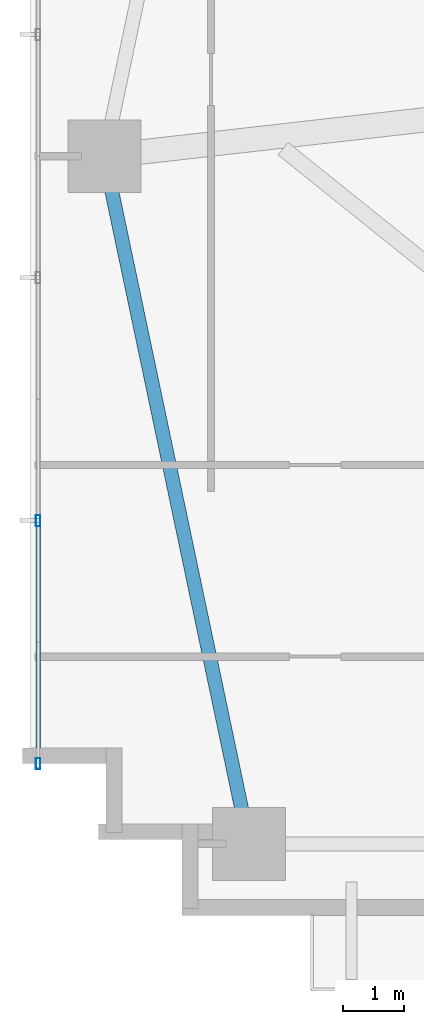
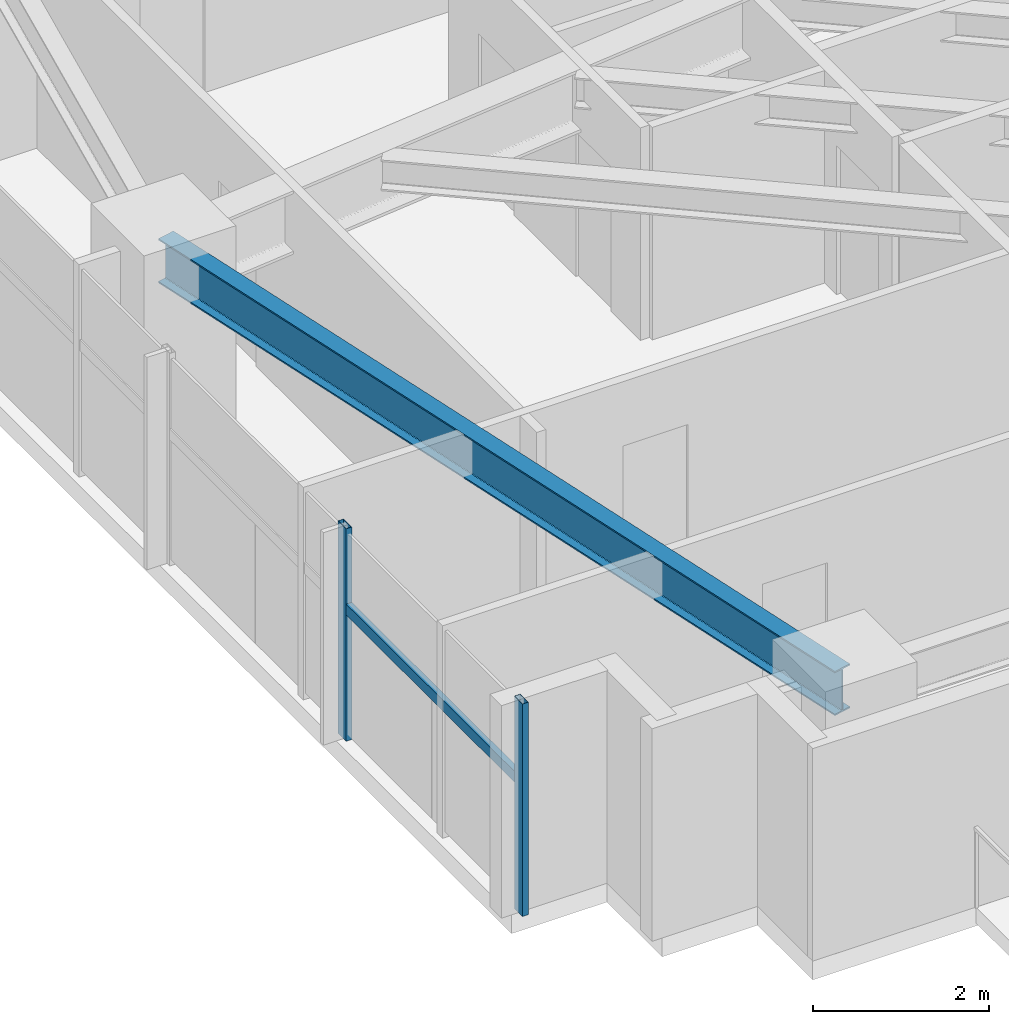
# One storey, part 2 of 25: 3 members, 1 beam, 1 element without a shape of its own.
"""IFC4 building model written with IfcOpenShell, lengths in metres."""

from ifc_helpers import new_model, si_unit, direction, frame, origin, origin_2d, place, context, subcontext, project, spatial, hollow_rectangle, i_section, extrude, source, transform, mapped, material, material_profile, profile_set, type_object, type_shapes, element, aggregate, save


model = new_model("IFC4")

# Units and contexts
model_context = context("Model", 3, precision=1e-05, world=origin(), true_north=direction((0.0, 1.0)))
body_context = subcontext(model_context, "Body", "Model", "MODEL_VIEW")
ifc_project = project(units=[si_unit("LENGTHUNIT", "METRE"), si_unit("AREAUNIT", "SQUARE_METRE"), si_unit("VOLUMEUNIT", "CUBIC_METRE"), si_unit("PLANEANGLEUNIT", "RADIAN"), si_unit("MASSUNIT", "GRAM", prefix="KILO")], contexts=[model_context])

# Site, building, storey
site_placement = place(None, origin())
site = spatial("IfcSite", under=ifc_project, at=site_placement, CompositionType="ELEMENT")
building_placement = place(site_placement, origin())
building = spatial("IfcBuilding", under=site, at=building_placement, Name="Astriad Promenade Condominiums", CompositionType="ELEMENT")
storey_placement = place(building_placement, frame((0.0, 0.0, 45.39990234375)))
storey = spatial("IfcBuildingStorey", under=building, at=storey_placement, Name="L12", CompositionType="ELEMENT", Elevation=45.39990234375)

# Beam
ifc_material_1 = material(Name="Steel ASTM A992 Grade 50", Category="steel")
ifc_material_profile_1 = material_profile(ifc_material_1, i_section(OverallWidth=0.22900390625, OverallDepth=0.612060546875, WebThickness=0.011962890625, FlangeThickness=0.01953125, FilletRadius=0.017822265625, at=origin_2d()), Name="W24X84")
ifc_profile_set_1 = profile_set([ifc_material_profile_1], Name="Steel ASTM A992 Grade 50")
beam_type = type_object("IfcBeamType", Name="STEEL SPANDREL BEAM W24X84", PredefinedType="SPANDREL", material=ifc_profile_set_1)
shared_shape_1 = source(origin(), body_context, "Body", "SweptSolid", [
    extrude(i_section(OverallWidth=0.22900390625, OverallDepth=0.612060546875, WebThickness=0.011962890625, FlangeThickness=0.01953125, FilletRadius=0.017822265625, at=origin_2d()), origin(), (0.0, 0.0, 1.0), 11.487548828125),
])
type_shapes(beam_type, [shared_shape_1])
beam_placement = place(storey_placement, frame((7.0283203125, 15.160888671875, 2.634033203125), z_axis=(0.205748055501, -0.978604995725, 0.0), x_axis=(0.978604995725, 0.205748055501, 0.0)))
element("IfcBeam", 1, at=beam_placement, inside=storey, type_object=beam_type, Name="Perimeter Spandrel Beam SP-W1-L12", PredefinedType="SPANDREL", context=body_context, shape_type="MappedRepresentation", body=[
    mapped(shared_shape_1, transform((0.0, 0.0, 0.0), scale=1.0)),
])

# Curtain wall, members
ifc_material_2 = material(Name="Anodised aluminium Black Dark Glass Unitised", Category="aluminium")
curtain_wall_type = type_object("IfcCurtainWallType", Name="CW-B1-DARK", PredefinedType="USERDEFINED", material=ifc_material_2)
curtain_wall_placement = place(storey_placement, origin())
curtain_wall = element("IfcCurtainWall", 2, at=curtain_wall_placement, inside=storey, type_object=curtain_wall_type, Name="CW-L12-W", ObjectType="UNITISED_CURTAIN_WALL", PredefinedType="USERDEFINED")
ifc_material_3 = material(Name="Anodised aluminium 6063-T6 Black", Category="aluminium")
ifc_material_profile_2 = material_profile(ifc_material_3, hollow_rectangle(XDim=0.074951171875, YDim=0.14990234375, WallThickness=0.004150390625, at=origin_2d()), Name="ALU-TRN-75X150")
ifc_profile_set_2 = profile_set([ifc_material_profile_2], Name="Anodised aluminium 6063-T6 Black")
member_type_1 = type_object("IfcMemberType", Name="TRN-ALU-TRN-75X150", PredefinedType="USERDEFINED", material=ifc_profile_set_2)
shared_shape_2 = source(origin(), body_context, "Body", "SweptSolid", [
    extrude(hollow_rectangle(XDim=0.074951171875, YDim=0.14990234375, WallThickness=0.004150390625, at=origin_2d()), origin(), (0.0, 0.0, 1.0), 4.0),
])
type_shapes(member_type_1, [shared_shape_2])
member_1_placement = place(storey_placement, frame((5.929931640625, 5.199951171875, 1.822998046875), z_axis=(0.0, 1.0, 0.0), x_axis=(-1.0, 0.0, 0.0)))
member_1 = element("IfcMember", 3, at=member_1_placement, type_object=member_type_1, Name="CW-L12-W-TRN-00-0", ObjectType="TRANSOM", PredefinedType="USERDEFINED", context=body_context, shape_type="MappedRepresentation", body=[
    mapped(shared_shape_2, transform((0.0, 0.0, 0.0), scale=1.0)),
])
ifc_material_profile_3 = material_profile(ifc_material_3, hollow_rectangle(XDim=0.074951171875, YDim=0.18505859375, WallThickness=0.00439453125, at=origin_2d()), Name="ALU-MUL-75X185")
ifc_profile_set_3 = profile_set([ifc_material_profile_3], Name="Anodised aluminium 6063-T6 Black")
member_type_2 = type_object("IfcMemberType", Name="MUL-ALU-MUL-75X185", PredefinedType="MULLION", material=ifc_profile_set_3)
shared_shape_3 = source(origin(), body_context, "Body", "SweptSolid", [
    extrude(hollow_rectangle(XDim=0.074951171875, YDim=0.18505859375, WallThickness=0.00439453125, at=origin_2d()), origin(), (0.0, 0.0, 1.0), 2.940185546875),
])
type_shapes(member_type_2, [shared_shape_3])
member_2_placement = place(storey_placement, frame((5.929931640625, 5.199951171875, 0.0), z_axis=(0.0, 0.0, 1.0), x_axis=(1.0, 0.0, 0.0)))
member_2 = element("IfcMember", 4, at=member_2_placement, type_object=member_type_2, Name="CW-L12-W-MUL-00", PredefinedType="MULLION", context=body_context, shape_type="MappedRepresentation", body=[
    mapped(shared_shape_3, transform((0.0, 0.0, 0.0), scale=1.0)),
])
member_3_placement = place(storey_placement, frame((5.929931640625, 9.199951171875, 0.0), z_axis=(0.0, 0.0, 1.0), x_axis=(1.0, 0.0, 0.0)))
member_3 = element("IfcMember", 5, at=member_3_placement, type_object=member_type_2, Name="CW-L12-W-MUL-01", PredefinedType="MULLION", context=body_context, shape_type="MappedRepresentation", body=[
    mapped(shared_shape_3, transform((0.0, 0.0, 0.0), scale=1.0)),
])
aggregate(curtain_wall, [member_2, member_3, member_1])

save(model, "model.ifc")
